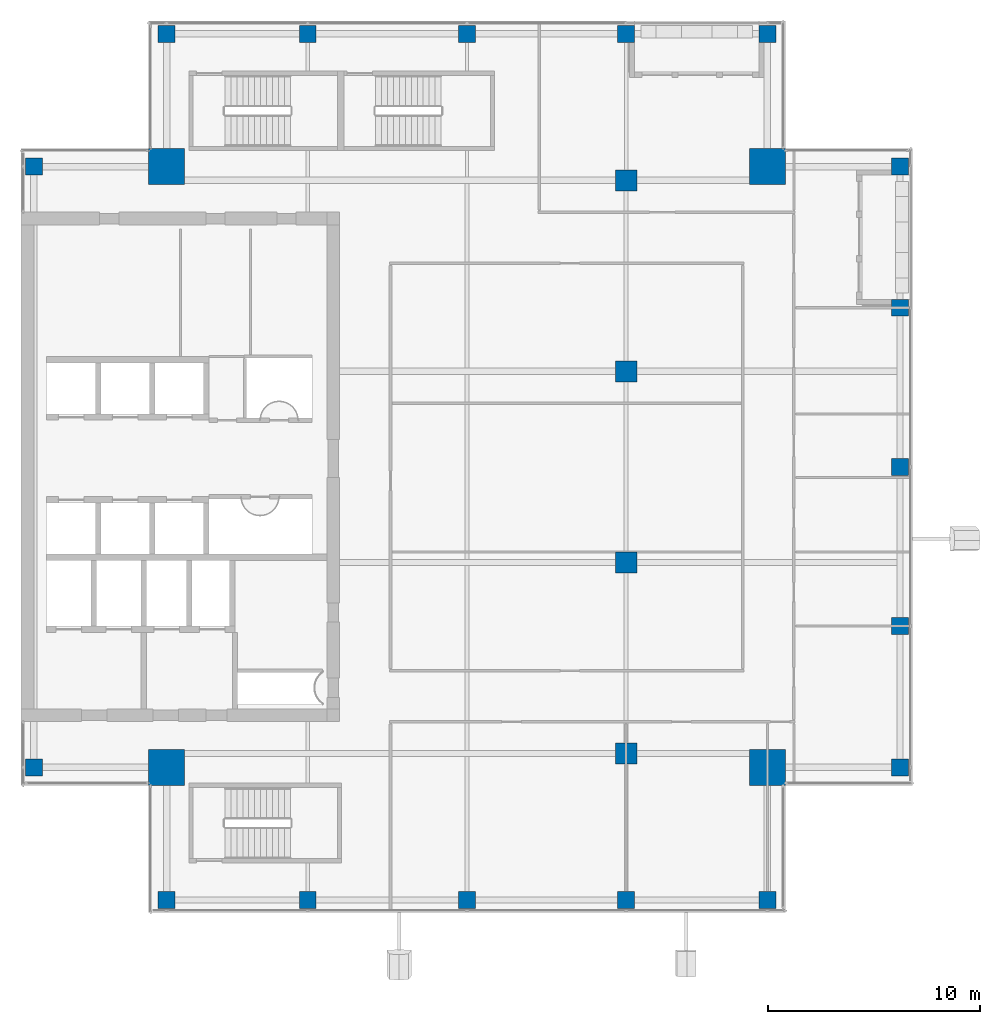
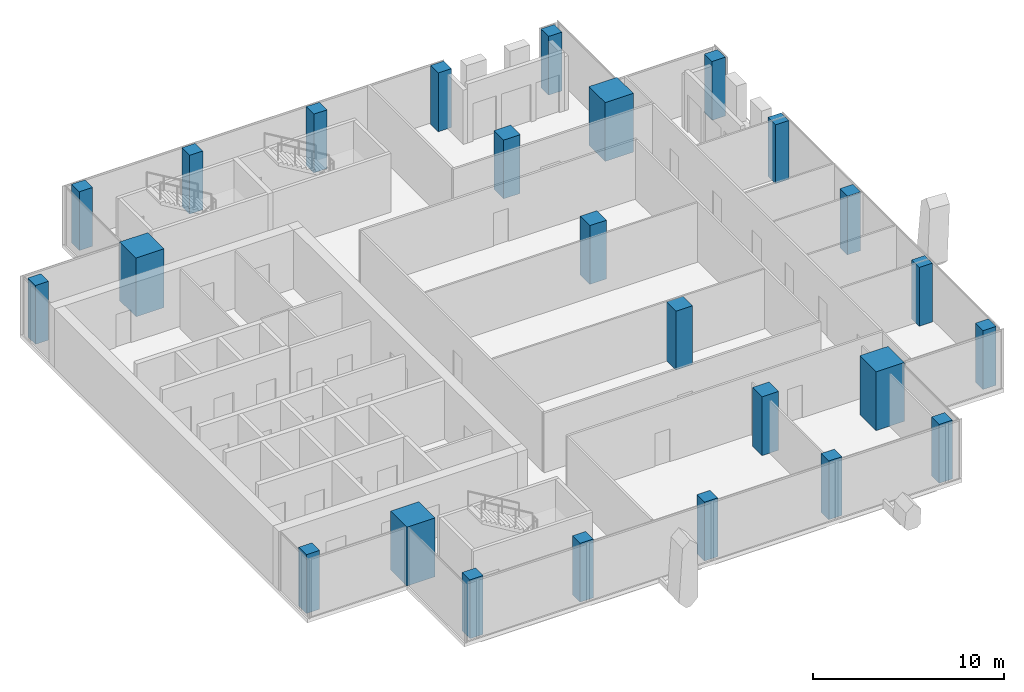
# One storey, part 1 of 28: 25 columns.
"""IFC4 building model written with IfcOpenShell, lengths in metres."""

from ifc_helpers import new_model, si_unit, direction, frame, origin, origin_2d, place, context, subcontext, project, spatial, rectangle, extrude, source, transform, mapped, material, material_profile, profile_set, type_object, element, save


model = new_model("IFC4")

# Units and contexts
model_context = context("Model", 3, precision=1e-05, world=origin(), true_north=direction((0.0, 1.0)))
body_context = subcontext(model_context, "Body", "Model", "MODEL_VIEW")
ifc_project = project(units=[si_unit("LENGTHUNIT", "METRE"), si_unit("AREAUNIT", "SQUARE_METRE"), si_unit("VOLUMEUNIT", "CUBIC_METRE"), si_unit("PLANEANGLEUNIT", "RADIAN"), si_unit("MASSUNIT", "GRAM", prefix="KILO")], contexts=[model_context])

# Site, building, storey
site_placement = place(None, origin())
site = spatial("IfcSite", under=ifc_project, at=site_placement, CompositionType="ELEMENT")
building_placement = place(site_placement, origin())
building = spatial("IfcBuilding", under=site, at=building_placement, Name="Khomas Fold Tower", CompositionType="ELEMENT")
storey_placement = place(building_placement, frame((0.0, 0.0, 298.199951171875)))
storey = spatial("IfcBuildingStorey", under=building, at=storey_placement, Name="L67", CompositionType="ELEMENT", Elevation=298.199951171875)

# Columns
ifc_material_1 = material(Name="Concrete C50/60", Category="concrete")
ifc_material_profile_1 = material_profile(ifc_material_1, rectangle(XDim=1.0, YDim=1.0, at=origin_2d()), Name="RC 1000x1000")
ifc_profile_set_1 = profile_set([ifc_material_profile_1], Name="Concrete C50/60")
column_type_1 = type_object("IfcColumnType", Name="RC 1000x1000 column", PredefinedType="COLUMN", material=ifc_profile_set_1)
shared_shape_1 = source(origin(), body_context, "Body", "SweptSolid", [
    extrude(rectangle(XDim=1.0, YDim=1.0, at=origin_2d()), origin(), (0.0, 0.0, 1.0), 3.75),
])
for number, where, z_axis, x_axis, name in (
    (1, (34.5, 13.5, 0.0), (0.0, 0.0, 1.0), (1.0, 0.0, 0.0), "C-10-H"),
    (2, (34.5, 22.5, 0.0), (0.0, 0.0, 1.0), (1.0, 0.0, 0.0), "C-10-K"),
    (3, (34.5, 31.5, 0.0), (0.0, 0.0, 1.0), (1.0, 0.0, 0.0), "C-10-M"),
    (4, (34.5, 40.5, 0.0), (0.0, 0.0, 1.0), (1.0, 0.0, 0.0), "C-10-P"),
):
    element("IfcColumn", number, at=place(storey_placement, frame(where, z_axis=z_axis, x_axis=x_axis)), inside=storey, type_object=column_type_1, Name=name, PredefinedType="COLUMN", context=body_context, shape_type="MappedRepresentation", body=[
        mapped(shared_shape_1, transform((0.0, 0.0, 0.0))),
    ])
ifc_material_2 = material(Name="Concrete C60/75", Category="concrete")
ifc_material_profile_2 = material_profile(ifc_material_2, rectangle(XDim=1.699951171875, YDim=1.699951171875, at=origin_2d()), Name="RC 1700x1700")
ifc_profile_set_2 = profile_set([ifc_material_profile_2], Name="Concrete C60/75")
column_type_2 = type_object("IfcColumnType", Name="RC 1700x1700 column", PredefinedType="COLUMN", material=ifc_profile_set_2)
shared_shape_2 = source(origin(), body_context, "Body", "SweptSolid", [
    extrude(rectangle(XDim=1.699951171875, YDim=1.699951171875, at=origin_2d()), origin(), (0.0, 0.0, 1.0), 3.75),
])
for number, where, z_axis, x_axis, name in (
    (5, (41.14990234375, 41.14990234375, 0.0), (0.0, 0.0, 1.0), (1.0, 0.0, 0.0), "CM-NE"),
    (6, (12.85009765625, 41.14990234375, 0.0), (0.0, 0.0, 1.0), (1.0, 0.0, 0.0), "CM-NW"),
    (7, (41.14990234375, 12.85009765625, 0.0), (0.0, 0.0, 1.0), (1.0, 0.0, 0.0), "CM-SE"),
    (8, (12.85009765625, 12.85009765625, 0.0), (0.0, 0.0, 1.0), (1.0, 0.0, 0.0), "CM-SW"),
):
    element("IfcColumn", number, at=place(storey_placement, frame(where, z_axis=z_axis, x_axis=x_axis)), inside=storey, type_object=column_type_2, Name=name, PredefinedType="COLUMN", context=body_context, shape_type="MappedRepresentation", body=[
        mapped(shared_shape_2, transform((0.0, 0.0, 0.0))),
    ])
ifc_material_3 = material(Name="Concrete C50/60", Category="concrete")
ifc_material_profile_3 = material_profile(ifc_material_3, rectangle(XDim=0.800048828125, YDim=0.800048828125, at=origin_2d()), Name="RC 800x800")
ifc_profile_set_3 = profile_set([ifc_material_profile_3], Name="Concrete C50/60")
column_type_3 = type_object("IfcColumnType", Name="RC 800x800 column", PredefinedType="COLUMN", material=ifc_profile_set_3)
shared_shape_3 = source(origin(), body_context, "Body", "SweptSolid", [
    extrude(rectangle(XDim=0.800048828125, YDim=0.800048828125, at=origin_2d()), origin(), (0.0, 0.0, 1.0), 3.75),
])
for number, where, z_axis, x_axis, name in (
    (9, (12.85009765625, 6.60009765625, 0.0), (0.0, 0.0, 1.0), (1.0, 0.0, 0.0), "C-7-SF5"),
    (10, (19.5, 6.60009765625, 0.0), (0.0, 0.0, 1.0), (1.0, 0.0, 0.0), "C-8-SF5"),
    (11, (27.0, 6.60009765625, 0.0), (0.0, 0.0, 1.0), (1.0, 0.0, 0.0), "C-9-SF5"),
    (12, (34.5, 6.60009765625, 0.0), (0.0, 0.0, 1.0), (1.0, 0.0, 0.0), "C-10-SF5"),
    (13, (41.14990234375, 6.60009765625, 0.0), (0.0, 0.0, 1.0), (1.0, 0.0, 0.0), "C-12-SF5"),
    (14, (47.39990234375, 12.85009765625, 0.0), (0.0, 0.0, 1.0), (1.0, 0.0, 0.0), "C-E5-G"),
    (15, (47.39990234375, 19.5, 0.0), (0.0, 0.0, 1.0), (1.0, 0.0, 0.0), "C-E5-J"),
    (16, (47.39990234375, 27.0, 0.0), (0.0, 0.0, 1.0), (1.0, 0.0, 0.0), "C-E5-L"),
    (17, (47.39990234375, 34.5, 0.0), (0.0, 0.0, 1.0), (1.0, 0.0, 0.0), "C-E5-N"),
    (18, (47.39990234375, 41.14990234375, 0.0), (0.0, 0.0, 1.0), (1.0, 0.0, 0.0), "C-E5-Q"),
    (19, (12.85009765625, 47.39990234375, 0.0), (0.0, 0.0, 1.0), (1.0, 0.0, 0.0), "C-7-NF5"),
    (20, (19.5, 47.39990234375, 0.0), (0.0, 0.0, 1.0), (1.0, 0.0, 0.0), "C-8-NF5"),
    (21, (27.0, 47.39990234375, 0.0), (0.0, 0.0, 1.0), (1.0, 0.0, 0.0), "C-9-NF5"),
    (22, (34.5, 47.39990234375, 0.0), (0.0, 0.0, 1.0), (1.0, 0.0, 0.0), "C-10-NF5"),
    (23, (41.14990234375, 47.39990234375, 0.0), (0.0, 0.0, 1.0), (1.0, 0.0, 0.0), "C-12-NF5"),
    (24, (6.60009765625, 12.85009765625, 0.0), (0.0, 0.0, 1.0), (1.0, 0.0, 0.0), "C-W5-G"),
    (25, (6.60009765625, 41.14990234375, 0.0), (0.0, 0.0, 1.0), (1.0, 0.0, 0.0), "C-W5-Q"),
):
    element("IfcColumn", number, at=place(storey_placement, frame(where, z_axis=z_axis, x_axis=x_axis)), inside=storey, type_object=column_type_3, Name=name, PredefinedType="COLUMN", context=body_context, shape_type="MappedRepresentation", body=[
        mapped(shared_shape_3, transform((0.0, 0.0, 0.0))),
    ])

save(model, "model.ifc")
